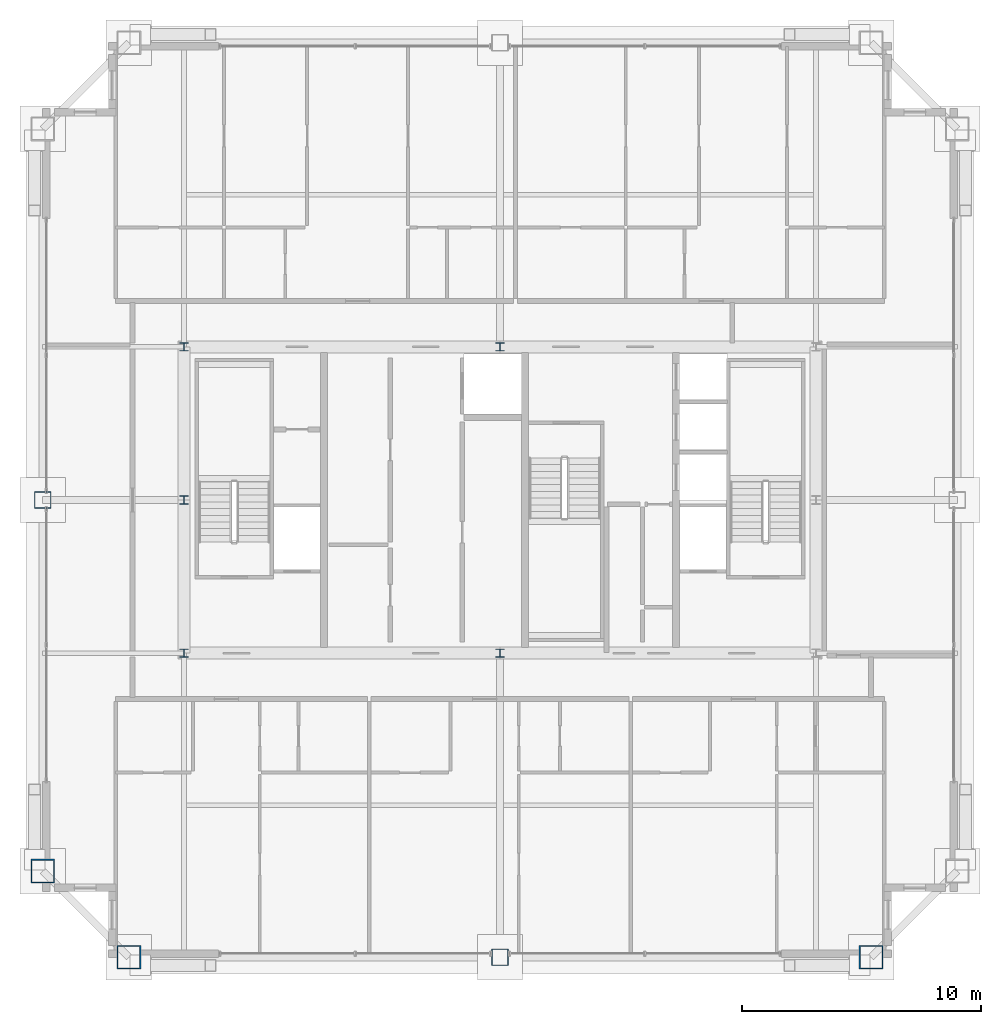
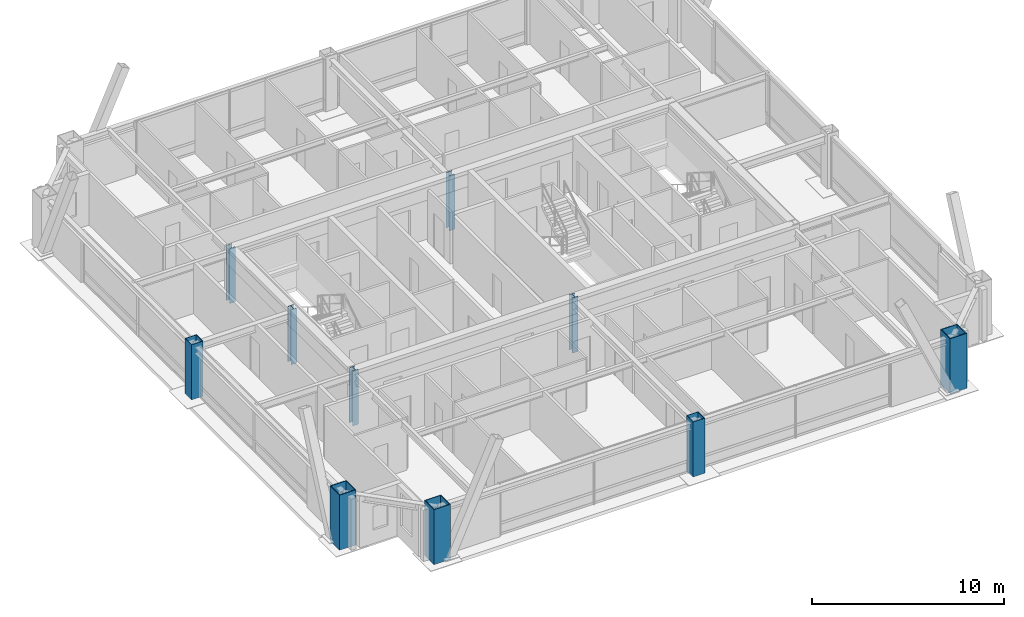
# One storey, part 1 of 35: 10 columns.
"""IFC4 building model written with IfcOpenShell, lengths in metres."""

from ifc_helpers import new_model, si_unit, direction, frame, origin, origin_2d, place, context, subcontext, project, spatial, hollow_rectangle, i_section, extrude, source, transform, mapped, material, material_profile, profile_set, type_object, element, save


model = new_model("IFC4")

# Units and contexts
model_context = context("Model", 3, precision=1e-05, world=origin(), true_north=direction((0.0, 1.0)))
body_context = subcontext(model_context, "Body", "Model", "MODEL_VIEW")
ifc_project = project(units=[si_unit("LENGTHUNIT", "METRE"), si_unit("AREAUNIT", "SQUARE_METRE"), si_unit("VOLUMEUNIT", "CUBIC_METRE"), si_unit("PLANEANGLEUNIT", "RADIAN"), si_unit("MASSUNIT", "GRAM", prefix="KILO"), si_unit("THERMODYNAMICTEMPERATUREUNIT", "KELVIN"), si_unit("POWERUNIT", "WATT")], contexts=[model_context])

# Site, building, storey
site_placement = place(None, origin())
site = spatial("IfcSite", under=ifc_project, at=site_placement, CompositionType="ELEMENT")
building_placement = place(site_placement, origin())
building = spatial("IfcBuilding", under=site, at=building_placement, Name="Yuzanri Waterfront Tower", CompositionType="ELEMENT")
storey_placement = place(building_placement, frame((0.0, 0.0, 285.60009765625)))
storey = spatial("IfcBuildingStorey", under=building, at=storey_placement, Name="L76", CompositionType="ELEMENT", Elevation=285.60009765625)

# Columns
ifc_material_1 = material(Name="Steel Q355B", Category="steel")
ifc_material_profile_1 = material_profile(ifc_material_1, hollow_rectangle(XDim=0.699951171875, YDim=0.699951171875, WallThickness=0.031982421875, at=origin_2d()), Name="RHS 700x700x32")
ifc_profile_set_1 = profile_set([ifc_material_profile_1], Name="Steel Q355B")
column_type_1 = type_object("IfcColumnType", Name="Frame Column Q355B RHS 700x700x32", PredefinedType="COLUMN", material=ifc_profile_set_1)
shared_shape_1 = source(origin(), body_context, "Body", "SweptSolid", [
    extrude(hollow_rectangle(XDim=0.699951171875, YDim=0.699951171875, WallThickness=0.031982421875, at=origin_2d()), origin(), (0.0, 0.0, 1.0), 3.5),
])
for number, where, z_axis, x_axis, name in (
    (1, (37.0, 6.699951171875, 0.0), (0.0, 0.0, 1.0), (1.0, 0.0, 0.0), "L76 Perimeter Frame Column S2"),
    (2, (17.89990234375, 25.800048828125, 0.0), (0.0, 0.0, 1.0), (1.0, 0.0, 0.0), "L76 Perimeter Frame Column W2"),
):
    element("IfcColumn", number, at=place(storey_placement, frame(where, z_axis=z_axis, x_axis=x_axis)), inside=storey, type_object=column_type_1, Name=name, PredefinedType="COLUMN", context=body_context, shape_type="MappedRepresentation", body=[
        mapped(shared_shape_1, transform((0.0, 0.0, 0.0), scale=1.0)),
    ])
ifc_material_2 = material(Name="Steel Q355B", Category="steel")
ifc_material_profile_2 = material_profile(ifc_material_2, i_section(OverallWidth=0.35009765625, OverallDepth=0.35009765625, WebThickness=0.011962890625, FlangeThickness=0.01904296875, at=origin_2d()), Name="HW 350x350x12x19")
ifc_profile_set_2 = profile_set([ifc_material_profile_2], Name="Steel Q355B")
column_type_2 = type_object("IfcColumnType", Name="Core Post Q355B HW 350x350x12x19", PredefinedType="COLUMN", material=ifc_profile_set_2)
shared_shape_2 = source(origin(), body_context, "Body", "SweptSolid", [
    extrude(i_section(OverallWidth=0.35009765625, OverallDepth=0.35009765625, WebThickness=0.011962890625, FlangeThickness=0.01904296875, at=origin_2d()), origin(), (0.0, 0.0, 1.0), 3.5),
])
for number, where, z_axis, x_axis, name in (
    (3, (23.800048828125, 19.39990234375, 0.0), (0.0, 0.0, 1.0), (1.0, 0.0, 0.0), "L76 Core Boundary Column CP1"),
    (4, (37.0, 19.39990234375, 0.0), (0.0, 0.0, 1.0), (1.0, 0.0, 0.0), "L76 Core Boundary Column CP2"),
    (5, (23.800048828125, 25.800048828125, 0.0), (0.0, 0.0, 1.0), (1.0, 0.0, 0.0), "L76 Core Boundary Column CP4"),
    (6, (23.800048828125, 32.199951171875, 0.0), (0.0, 0.0, 1.0), (1.0, 0.0, 0.0), "L76 Core Boundary Column CP6"),
    (7, (37.0, 32.199951171875, 0.0), (0.0, 0.0, 1.0), (1.0, 0.0, 0.0), "L76 Core Boundary Column CP7"),
):
    element("IfcColumn", number, at=place(storey_placement, frame(where, z_axis=z_axis, x_axis=x_axis)), inside=storey, type_object=column_type_2, Name=name, PredefinedType="COLUMN", context=body_context, shape_type="MappedRepresentation", body=[
        mapped(shared_shape_2, transform((0.0, 0.0, 0.0), scale=1.0)),
    ])
ifc_material_3 = material(Name="Steel Q390GJC", Category="steel")
ifc_material_profile_3 = material_profile(ifc_material_3, hollow_rectangle(XDim=1.0, YDim=1.0, WallThickness=0.048095703125, at=origin_2d()), Name="RHS 1000x1000x48")
ifc_profile_set_3 = profile_set([ifc_material_profile_3], Name="Steel Q390GJC")
column_type_3 = type_object("IfcColumnType", Name="Mega Column Q390GJC RHS 1000x1000x48", PredefinedType="COLUMN", material=ifc_profile_set_3)
shared_shape_3 = source(origin(), body_context, "Body", "SweptSolid", [
    extrude(hollow_rectangle(XDim=1.0, YDim=1.0, WallThickness=0.048095703125, at=origin_2d()), origin(), (0.0, 0.0, 1.0), 3.5),
])
for number, where, z_axis, x_axis, name in (
    (8, (21.5, 6.699951171875, 0.0), (0.0, 0.0, 1.0), (1.0, 0.0, 0.0), "L76 Perimeter Mega Column S1"),
    (9, (52.5, 6.699951171875, 0.0), (0.0, 0.0, 1.0), (1.0, 0.0, 0.0), "L76 Perimeter Mega Column S3"),
    (10, (17.89990234375, 10.300048828125, 0.0), (0.0, 0.0, 1.0), (1.0, 0.0, 0.0), "L76 Perimeter Mega Column W1"),
):
    element("IfcColumn", number, at=place(storey_placement, frame(where, z_axis=z_axis, x_axis=x_axis)), inside=storey, type_object=column_type_3, Name=name, PredefinedType="COLUMN", context=body_context, shape_type="MappedRepresentation", body=[
        mapped(shared_shape_3, transform((0.0, 0.0, 0.0), scale=1.0)),
    ])

save(model, "model.ifc")
